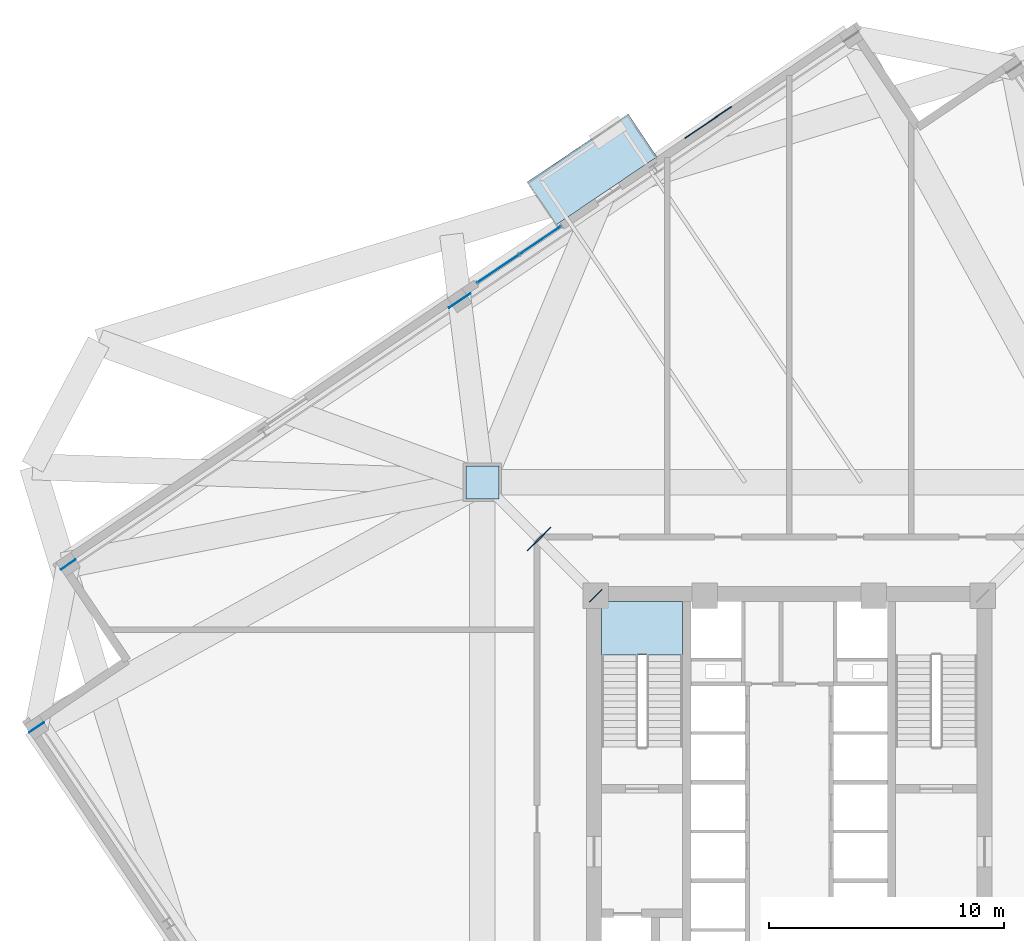
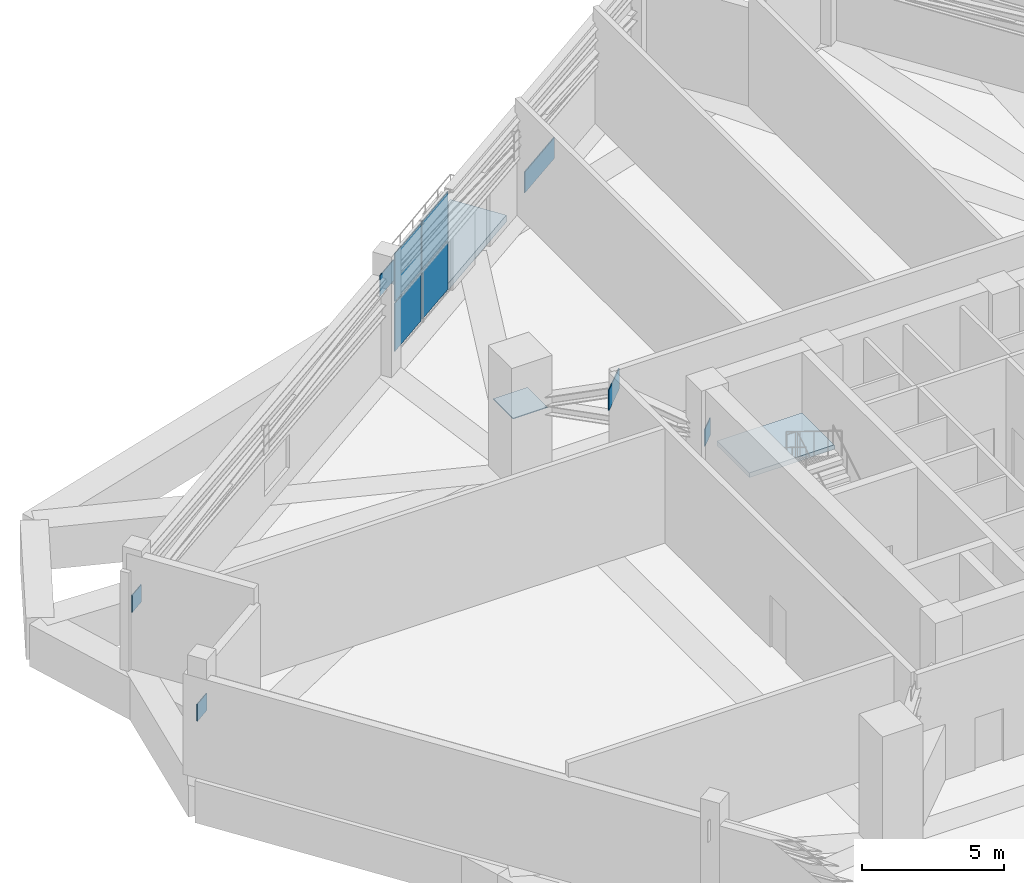
# One storey, part 13 of 21: 11 plates, 2 slabs, 2 elements without a shape of their own.
"""IFC4 building model written with IfcOpenShell, lengths in metres."""

import ifcopenshell
import ifcopenshell.guid

model = None  # the IFC model being written
_history = None  # IfcOwnerHistory: only IFC2X3 demands one
_inside = {}  # id of a spatial element -> (the spatial element, [elements in it])
_under = {}  # id of a project, library or spatial element -> (it, [spatial elements below it])
_declared = {}  # id of a project -> (the project, [libraries it declares])
_typed = {}  # id of a type object -> (the type object, [elements of that type])
_made_of = {}  # id of a material, layer set ... -> (it, [elements and type objects made of it])


def new_model(schema):
    """Start an empty IFC model of exactly this schema.

    Asked for "IFC4X3", IfcOpenShell would pick the latest addendum, in which some entities
    have other attributes; the version numbers below select the first issue.
    IFC2X3 requires an IfcOwnerHistory on every rooted entity: one is made here for all.
    """
    global model, _history
    if schema == "IFC4X3":
        model = ifcopenshell.file(schema_version=(4, 3, 0, 0))
    else:
        model = ifcopenshell.file(schema=schema)
    _inside.clear()
    _under.clear()
    _declared.clear()
    _typed.clear()
    _made_of.clear()
    _history = None
    if model.schema == "IFC2X3":
        org = make("IfcOrganization", Name="unknown")
        user = make(
            "IfcPersonAndOrganization",
            ThePerson=make("IfcPerson", FamilyName="unknown"),
            TheOrganization=org,
        )
        app = make(
            "IfcApplication",
            ApplicationDeveloper=org,
            Version="unknown",
            ApplicationFullName="unknown",
            ApplicationIdentifier="unknown",
        )
        _history = make(
            "IfcOwnerHistory",
            OwningUser=user,
            OwningApplication=app,
            ChangeAction="ADDED",
            CreationDate=0,
        )
    return model


def make(cls, **values):
    """One entity of the class cls with the attributes given. An attribute that is None is left unset."""
    return model.create_entity(
        cls, **{name: value for name, value in values.items() if value is not None}
    )


def rooted(cls, **values):
    """An entity with a GlobalId (a new one), such as an element, a storey or a relation."""
    return make(cls, GlobalId=ifcopenshell.guid.new(), OwnerHistory=_history, **values)


def si_unit(unit_type, name, prefix=None):
    """IfcSIUnit, for example si_unit("LENGTHUNIT", "METRE", prefix="MILLI")."""
    return make("IfcSIUnit", UnitType=unit_type, Prefix=prefix, Name=name)


def assignment(units):
    """IfcUnitAssignment: the units of a project."""
    return None if units is None else make("IfcUnitAssignment", Units=units)


def point(xyz):
    """IfcCartesianPoint."""
    return None if xyz is None else make("IfcCartesianPoint", Coordinates=xyz)


def direction(xyz):
    """IfcDirection."""
    return None if xyz is None else make("IfcDirection", DirectionRatios=xyz)


def frame(location, z_axis=None, x_axis=None):
    """IfcAxis2Placement3D, a coordinate frame: its origin and axes. An axis left out is left unset."""
    return make(
        "IfcAxis2Placement3D",
        Location=point(location),
        Axis=direction(z_axis),
        RefDirection=direction(x_axis),
    )


def frame_2d(location, x_axis=None):
    """IfcAxis2Placement2D, a coordinate frame in the plane: its origin and x axis."""
    return make(
        "IfcAxis2Placement2D", Location=point(location), RefDirection=direction(x_axis)
    )


def origin():
    """The frame at (0, 0, 0) with its axes left unset."""
    return frame((0.0, 0.0, 0.0))


def origin_2d():
    """The frame at (0, 0) in the plane with its x axis left unset."""
    return frame_2d((0.0, 0.0))


def place(relative_to, where):
    """IfcLocalPlacement: puts the frame where relative to a parent placement (None: the world)."""
    return make(
        "IfcLocalPlacement", PlacementRelTo=relative_to, RelativePlacement=where
    )


def context(
    kind, dimensions, precision=None, world=None, true_north=None, identifier=None
):
    """IfcGeometricRepresentationContext, for example the 3D "Model" context."""
    return make(
        "IfcGeometricRepresentationContext",
        ContextIdentifier=identifier,
        ContextType=kind,
        CoordinateSpaceDimension=dimensions,
        Precision=precision,
        WorldCoordinateSystem=world,
        TrueNorth=true_north,
    )


def subcontext(parent, identifier, kind, view, scale=None):
    """IfcGeometricRepresentationSubContext, for example "Body" below "Model"."""
    return make(
        "IfcGeometricRepresentationSubContext",
        ContextIdentifier=identifier,
        ContextType=kind,
        ParentContext=parent,
        TargetScale=scale,
        TargetView=view,
    )


def project(units=None, contexts=None):
    """IfcProject with its units and contexts."""
    return rooted(
        "IfcProject",
        Name="project",
        RepresentationContexts=contexts,
        UnitsInContext=assignment(units),
    )


def spatial(cls, under=None, at=None, **own):
    """A site, building, storey or space (cls), placed at a placement, below another one or the project."""
    s = rooted(cls, ObjectPlacement=at, **own)
    if under is not None:
        _under.setdefault(under.id(), (under, []))[1].append(s)
    return s


def polyline(points):
    """IfcPolyline through the points."""
    return make("IfcPolyline", Points=[point(p) for p in points])


def profile(cls, at=None, kind="AREA", **sizes):
    """A parametric profile (cls). Its sizes go by their IFC names, for example OverallWidth=200.0."""
    return make(cls, ProfileType=kind, Position=at, **sizes)


def rectangle(**sizes):
    """IfcRectangleProfileDef."""
    return profile("IfcRectangleProfileDef", **sizes)


def outline(outer, holes=None, kind="AREA"):
    """IfcArbitraryClosedProfileDef: a profile drawn as a closed curve; with holes, ...WithVoids."""
    if holes is None:
        return make("IfcArbitraryClosedProfileDef", ProfileType=kind, OuterCurve=outer)
    return make(
        "IfcArbitraryProfileDefWithVoids",
        ProfileType=kind,
        OuterCurve=outer,
        InnerCurves=holes,
    )


def extrude(swept, where, along, depth):
    """IfcExtrudedAreaSolid: the profile swept, set in the frame where, extruded along a direction by depth."""
    return make(
        "IfcExtrudedAreaSolid",
        SweptArea=swept,
        Position=where,
        ExtrudedDirection=direction(along),
        Depth=depth,
    )


def shape(context_of_items, identifier, shape_type, items):
    """IfcShapeRepresentation: the items that make up one representation, for example the "Body"."""
    return make(
        "IfcShapeRepresentation",
        ContextOfItems=context_of_items,
        RepresentationIdentifier=identifier,
        RepresentationType=shape_type,
        Items=items,
    )


def source(mapping_origin, context_of_items, identifier, shape_type, items):
    """IfcRepresentationMap: a shape defined once, which mapped items show again and again."""
    return make(
        "IfcRepresentationMap",
        MappingOrigin=mapping_origin,
        MappedRepresentation=shape(context_of_items, identifier, shape_type, items),
    )


def transform(
    local_origin,
    x_axis=None,
    y_axis=None,
    z_axis=None,
    scale=None,
    scale2=None,
    scale3=None,
    uniform=True,
):
    """IfcCartesianTransformationOperator3D, or its non-uniform kind. x_axis, y_axis, z_axis: its Axis1, 2, 3."""
    if uniform:
        return make(
            "IfcCartesianTransformationOperator3D",
            Axis1=direction(x_axis),
            Axis2=direction(y_axis),
            LocalOrigin=point(local_origin),
            Scale=scale,
            Axis3=direction(z_axis),
        )
    return make(
        "IfcCartesianTransformationOperator3DnonUniform",
        Axis1=direction(x_axis),
        Axis2=direction(y_axis),
        LocalOrigin=point(local_origin),
        Scale=scale,
        Axis3=direction(z_axis),
        Scale2=scale2,
        Scale3=scale3,
    )


def mapped(mapping_source, mapping_target):
    """IfcMappedItem: shows the shape of a source again, moved by a transform."""
    return make(
        "IfcMappedItem", MappingSource=mapping_source, MappingTarget=mapping_target
    )


def material(Name=None, Category=None):
    """IfcMaterial."""
    return make("IfcMaterial", Name=Name, Category=Category)


def layer(
    of_material, thickness, ventilated=None, Name=None, Category=None, Priority=None
):
    """IfcMaterialLayer: one layer of a wall or slab, of a material (None: an air gap)."""
    return make(
        "IfcMaterialLayer",
        Material=of_material,
        LayerThickness=thickness,
        IsVentilated=ventilated,
        Name=Name,
        Category=Category,
        Priority=Priority,
    )


def layer_set(layers, Name=None):
    """IfcMaterialLayerSet."""
    return make("IfcMaterialLayerSet", MaterialLayers=layers, LayerSetName=Name)


def made_of(thing, what):
    """Note that an element or type object is made of a material, layer set ...; save() writes the relation."""
    if what is not None:
        _made_of.setdefault(what.id(), (what, []))[1].append(thing)
    return thing


def type_object(cls, material=None, **own):
    """A type object (cls), such as IfcWallType, which elements share."""
    return made_of(rooted(cls, **own), material)


def element(
    cls,
    number,
    at=None,
    inside=None,
    cuts=None,
    type_object=None,
    material=None,
    context=None,
    identifier="Body",
    shape_type=None,
    held_by="IfcProductDefinitionShape",
    body=None,
    shapes=None,
    **own,
):
    """One element of the class cls, such as IfcWall. Its Tag is "e" and its number.

    at: its placement. inside: the storey or other place that contains it. cuts: it is an
    opening in that element (IfcRelVoidsElement). A single representation is given by context,
    identifier, shape_type and body (its items); several are given by shapes. held_by: the class
    of the entity that holds the representations. save() writes the other relations.
    """
    e = rooted(cls, Tag="e%d" % number, ObjectPlacement=at, **own)
    if body is not None:
        shapes = [shape(context, identifier, shape_type, body)]
    if shapes is not None:
        e.Representation = make(held_by, Representations=shapes)
    if inside is not None:
        _inside.setdefault(inside.id(), (inside, []))[1].append(e)
    if cuts is not None:
        rooted(
            "IfcRelVoidsElement", RelatingBuildingElement=cuts, RelatedOpeningElement=e
        )
    if type_object is not None:
        _typed.setdefault(type_object.id(), (type_object, []))[1].append(e)
    return made_of(e, material)


def aggregate(whole, parts):
    """IfcRelAggregates: a whole, such as a stair, and the parts it consists of."""
    return rooted("IfcRelAggregates", RelatingObject=whole, RelatedObjects=parts)


def save(model, path):
    """Write the relations noted so far, then the file.

    IfcRelAggregates (storeys below a building ...), IfcRelContainedInSpatialStructure (elements
    in a storey), IfcRelDefinesByType, IfcRelAssociatesMaterial and IfcRelDeclares: one each for
    every whole, place, type object, material and project.
    """
    for whole, parts in _under.values():
        aggregate(whole, parts)
    for where, things in _inside.values():
        rooted(
            "IfcRelContainedInSpatialStructure",
            RelatedElements=things,
            RelatingStructure=where,
        )
    for kind, things in _typed.values():
        rooted("IfcRelDefinesByType", RelatedObjects=things, RelatingType=kind)
    for what, things in _made_of.values():
        rooted("IfcRelAssociatesMaterial", RelatedObjects=things, RelatingMaterial=what)
    for by, libraries in _declared.values():
        rooted("IfcRelDeclares", RelatingContext=by, RelatedDefinitions=libraries)
    model.write(path)


model = new_model("IFC4")

# Units and contexts
model_context = context("Model", 3, precision=1e-05, world=origin(), true_north=direction((0.0, 1.0)))
body_context = subcontext(model_context, "Body", "Model", "MODEL_VIEW")
ifc_project = project(units=[si_unit("LENGTHUNIT", "METRE"), si_unit("AREAUNIT", "SQUARE_METRE"), si_unit("VOLUMEUNIT", "CUBIC_METRE"), si_unit("PLANEANGLEUNIT", "RADIAN"), si_unit("MASSUNIT", "GRAM", prefix="KILO"), si_unit("THERMODYNAMICTEMPERATUREUNIT", "KELVIN")], contexts=[model_context])

# Site, building, storey
site_placement = place(None, origin())
site = spatial("IfcSite", under=ifc_project, at=site_placement, CompositionType="ELEMENT")
building_placement = place(site_placement, origin())
building = spatial("IfcBuilding", under=site, at=building_placement, Name="Kosmvard Interchange Tower", CompositionType="ELEMENT")
storey_placement = place(building_placement, frame((0.0, 0.0, 139.199951171875)))
storey = spatial("IfcBuildingStorey", under=building, at=storey_placement, Name="L33", CompositionType="ELEMENT", Elevation=139.199951171875)

# Slab
ifc_material_1 = material(Name="Precast concrete C45/55", Category="concrete")
ifc_layer_1 = layer(ifc_material_1, 0.2900390625, Name="Precast concrete C45/55")
ifc_layer_set_1 = layer_set([ifc_layer_1], Name="Precast concrete C45/55")
slab_type_1 = type_object("IfcSlabType", Name="Cascade Garden Terrace Slab 290 C45/55", PredefinedType="FLOOR", material=ifc_layer_set_1)
slab_1_placement = place(storey_placement, frame((0.0, 0.0, -0.2900390625)))
element("IfcSlab", 1, at=slab_1_placement, inside=storey, type_object=slab_type_1, Name="L33 Outdoor Terrace Balcony Slab SKG-L33-N", PredefinedType="FLOOR", context=body_context, shape_type="SweptSolid", body=[
    extrude(outline(polyline([(-9.948486328125, 24.04833984375), (-5.637451171875, 26.9560546875), (-6.86767578125, 28.780029296875), (-11.1787109375, 25.8720703125), (-9.948486328125, 24.04833984375)])), origin(), (0.0, 0.0, 1.0), 0.2900390625),
])

# Stair, slab
ifc_material_2 = material(Name="Concrete C50/60", Category="concrete")
stair_type = type_object("IfcStairType", Name="Dog-Leg Core Exit Stair H5200 C50/60", PredefinedType="HALF_TURN_STAIR", material=ifc_material_2)
stair_placement = place(storey_placement, origin())
stair = element("IfcStair", 2, at=stair_placement, inside=storey, type_object=stair_type, Name="L33 Protected Exit Stair ST-1", PredefinedType="HALF_TURN_STAIR")
ifc_layer_2 = layer(ifc_material_2, 0.199951171875, Name="Concrete C50/60")
ifc_layer_set_2 = layer_set([ifc_layer_2], Name="Concrete C50/60")
slab_type_2 = type_object("IfcSlabType", Name="Stair Half-Landing Slab 200 C50/60", PredefinedType="LANDING", material=ifc_layer_set_2)
slab_2_placement = place(storey_placement, frame((0.0, 0.0, 2.400146484375)))
slab_2 = element("IfcSlab", 3, at=slab_2_placement, type_object=slab_type_2, Name="ST-1 landing 1", PredefinedType="LANDING", context=body_context, shape_type="SweptSolid", body=[
    extrude(outline(polyline([(-4.5400390625, 5.719970703125), (-4.5400390625, 8.0), (-8.0, 8.0), (-8.0, 5.719970703125), (-4.5400390625, 5.719970703125)])), origin(), (0.0, 0.0, 1.0), 0.199951171875),
])
aggregate(stair, [slab_2])

# Plates
ifc_material_3 = material(Name="Steel S460", Category="steel")
ifc_layer_3 = layer(ifc_material_3, 0.031982421875, Name="Steel S460")
ifc_layer_set_3 = layer_set([ifc_layer_3], Name="Steel S460")
plate_type_1 = type_object("IfcPlateType", Name="Belt Truss Gusset Plate 1100x1100x32 S460", PredefinedType="USERDEFINED", material=ifc_layer_set_3)
shared_shape_1 = source(origin(), body_context, "Body", "SweptSolid", [
    extrude(rectangle(XDim=0.75, YDim=0.031982421875, at=origin_2d()), origin(), (0.0, 0.0, 1.0), 0.75),
])
for number, where, z_axis, x_axis, name in (
    (4, (-8.25, 8.25, 2.545166015625), (0.0, 0.0, 1.0), (0.707106781187, 0.707106781187, 0.0), "L33 Outrigger Core End Gusset Plate 4"),
    (5, (-30.734130859375, 9.575927734375, 2.445068359375), (0.0, 0.0, 1.0), (0.829037572555, 0.559192903471, 0.0), "L33 Belt Truss End Gusset Plate BBN"),
    (6, (-32.083251953125, 2.634765625, 2.445068359375), (0.0, 0.0, 1.0), (0.829037572555, 0.559192903471, 0.0), "L33 Belt Truss End Gusset Plate BAW"),
):
    element("IfcPlate", number, at=place(storey_placement, frame(where, z_axis=z_axis, x_axis=x_axis)), inside=storey, type_object=plate_type_1, Name=name, ObjectType="GUSSET_PLATE", PredefinedType="USERDEFINED", context=body_context, shape_type="MappedRepresentation", body=[
        mapped(shared_shape_1, transform((0.0, 0.0, 0.0), scale=1.0)),
    ])
ifc_layer_4 = layer(ifc_material_3, 0.035888671875, Name="Steel S460")
ifc_layer_set_4 = layer_set([ifc_layer_4], Name="Steel S460")
plate_type_2 = type_object("IfcPlateType", Name="Outrigger Node Gusset Plate 1400x1400x36 S460", PredefinedType="USERDEFINED", material=ifc_layer_set_4)
shared_shape_2 = source(origin(), body_context, "Body", "SweptSolid", [
    extrude(rectangle(XDim=1.39990234375, YDim=0.035888671875, at=origin_2d()), origin(), (0.0, 0.0, 1.0), 0.89990234375),
])
plate_1_placement = place(storey_placement, frame((-10.66552734375, 10.66552734375, 3.690185546875), z_axis=(0.0, 0.0, 1.0), x_axis=(0.707106781187, 0.707106781187, 0.0)))
element("IfcPlate", 7, at=plate_1_placement, inside=storey, type_object=plate_type_2, Name="L33 Outrigger Node Gusset Plate 4", ObjectType="GUSSET_PLATE", PredefinedType="USERDEFINED", context=body_context, shape_type="MappedRepresentation", body=[
    mapped(shared_shape_2, transform((0.0, 0.0, 0.0), scale=1.0)),
])
ifc_layer_5 = layer(ifc_material_3, 0.034912109375, Name="Steel S460")
ifc_layer_set_5 = layer_set([ifc_layer_5], Name="Steel S460")
plate_type_3 = type_object("IfcPlateType", Name="Mega-Column Splice Flange Plate 1400x1400x35 S460", PredefinedType="USERDEFINED", material=ifc_layer_set_5)
shared_shape_3 = source(origin(), body_context, "Body", "SweptSolid", [
    extrude(rectangle(XDim=1.39990234375, YDim=1.39990234375, at=origin_2d()), origin(), (0.0, 0.0, 1.0), 0.034912109375),
])
plate_2_placement = place(storey_placement, frame((-13.0810546875, 13.0810546875, 2.90283203125), z_axis=(0.0, 0.0, 1.0), x_axis=(1.0, 0.0, 0.0)))
element("IfcPlate", 8, at=plate_2_placement, inside=storey, type_object=plate_type_3, Name="L33 Mega-Column Splice Flange Plate 4", ObjectType="FLANGE_PLATE", PredefinedType="USERDEFINED", context=body_context, shape_type="MappedRepresentation", body=[
    mapped(shared_shape_3, transform((0.0, 0.0, 0.0), scale=1.0)),
])
shared_shape_4 = source(origin(), body_context, "Body", "SweptSolid", [
    extrude(rectangle(XDim=1.10009765625, YDim=0.031982421875, at=origin_2d()), origin(), (0.0, 0.0, 1.0), 0.89990234375),
])
plate_3_placement = place(storey_placement, frame((-14.0498046875, 20.82958984375, 3.510009765625), z_axis=(0.0, 0.0, 1.0), x_axis=(0.829037572555, 0.559192903471, 0.0)))
element("IfcPlate", 9, at=plate_3_placement, inside=storey, type_object=plate_type_1, Name="L33 Belt Truss Node Gusset Plate N", ObjectType="GUSSET_PLATE", PredefinedType="USERDEFINED", context=body_context, shape_type="MappedRepresentation", body=[
    mapped(shared_shape_4, transform((0.0, 0.0, 0.0), scale=1.0)),
])

# Curtain wall, plates
ifc_material_4 = material(Name="Architectural anodised aluminium", Category="aluminium")
ifc_layer_6 = layer(ifc_material_4, 0.179931640625, Name="Architectural anodised aluminium")
ifc_layer_set_6 = layer_set([ifc_layer_6], Name="Architectural anodised aluminium")
curtain_wall_type = type_object("IfcCurtainWallType", Name="CW-3 Sky-Garden Vestibule Curtain Wall", PredefinedType="NOTDEFINED", material=ifc_layer_set_6)
curtain_wall_placement = place(storey_placement, origin())
curtain_wall = element("IfcCurtainWall", 10, at=curtain_wall_placement, inside=storey, type_object=curtain_wall_type, Name="L33 Sky-Garden Curtain Wall N", PredefinedType="NOTDEFINED")
ifc_material_5 = material(Name="Low-E solar-control double glazing", Category="glass")
ifc_layer_7 = layer(ifc_material_5, 0.031982421875, Name="Low-E solar-control double glazing")
ifc_layer_set_7 = layer_set([ifc_layer_7], Name="Low-E solar-control double glazing")
plate_type_4 = type_object("IfcPlateType", Name="Sky-Garden Vision Curtain Panel 32", PredefinedType="CURTAIN_PANEL", material=ifc_layer_set_7)
shared_shape_5 = source(origin(), body_context, "Body", "SweptSolid", [
    extrude(rectangle(XDim=2.1025390625, YDim=0.031982421875, at=origin_2d()), origin(), (0.0, 0.0, 1.0), 2.080078125),
])
plate_4_placement = place(storey_placement, frame((-10.613037109375, 23.39501953125, 0.06005859375), z_axis=(0.0, 0.0, 1.0), x_axis=(-0.829037702623, -0.559192710637, 0.0)))
plate_4 = element("IfcPlate", 11, at=plate_4_placement, type_object=plate_type_4, Name="CW-3 panel 1.1", PredefinedType="CURTAIN_PANEL", context=body_context, shape_type="MappedRepresentation", body=[
    mapped(shared_shape_5, transform((0.0, 0.0, 0.0), scale=1.0)),
])
plate_5_placement = place(storey_placement, frame((-10.613037109375, 23.39501953125, 2.199951171875), z_axis=(0.0, 0.0, 1.0), x_axis=(-0.829037702623, -0.559192710637, 0.0)))
plate_5 = element("IfcPlate", 12, at=plate_5_placement, type_object=plate_type_4, Name="CW-3 panel 1.2", PredefinedType="CURTAIN_PANEL", context=body_context, shape_type="MappedRepresentation", body=[
    mapped(shared_shape_5, transform((0.0, 0.0, 0.0), scale=1.0)),
])
plate_6_placement = place(storey_placement, frame((-12.409912109375, 22.182861328125, 0.06005859375), z_axis=(0.0, 0.0, 1.0), x_axis=(-0.829037702623, -0.559192710637, 0.0)))
plate_6 = element("IfcPlate", 13, at=plate_6_placement, type_object=plate_type_4, Name="CW-3 panel 2.1", PredefinedType="CURTAIN_PANEL", context=body_context, shape_type="MappedRepresentation", body=[
    mapped(shared_shape_5, transform((0.0, 0.0, 0.0), scale=1.0)),
])
plate_7_placement = place(storey_placement, frame((-12.409912109375, 22.182861328125, 2.199951171875), z_axis=(0.0, 0.0, 1.0), x_axis=(-0.829037702623, -0.559192710637, 0.0)))
plate_7 = element("IfcPlate", 14, at=plate_7_placement, type_object=plate_type_4, Name="CW-3 panel 2.2", PredefinedType="CURTAIN_PANEL", context=body_context, shape_type="MappedRepresentation", body=[
    mapped(shared_shape_5, transform((0.0, 0.0, 0.0), scale=1.0)),
])
aggregate(curtain_wall, [plate_4, plate_5, plate_6, plate_7])

# Plate
ifc_layer_8 = layer(ifc_material_4, 0.0400390625, Name="Architectural anodised aluminium")
ifc_layer_set_8 = layer_set([ifc_layer_8], Name="Architectural anodised aluminium")
plate_type_5 = type_object("IfcPlateType", Name="Precast Spandrel Shadow Feature Sheet 2400x900x40", PredefinedType="SHEET", material=ifc_layer_set_8)
shared_shape_6 = source(origin(), body_context, "Body", "SweptSolid", [
    extrude(rectangle(XDim=0.0400390625, YDim=2.39990234375, at=origin_2d()), origin(), (0.0, 0.0, 1.0), 0.89990234375),
])
plate_8_placement = place(storey_placement, frame((-3.449462890625, 28.424560546875, 0.050048828125), z_axis=(0.0, 0.0, 1.0), x_axis=(-0.559192771654, 0.829037661466, 0.0)))
element("IfcPlate", 15, at=plate_8_placement, inside=storey, type_object=plate_type_5, Name="L33 Transfer Spandrel Fascia Sheet N", PredefinedType="SHEET", context=body_context, shape_type="MappedRepresentation", body=[
    mapped(shared_shape_6, transform((0.0, 0.0, 0.0), scale=1.0)),
])

save(model, "model.ifc")
